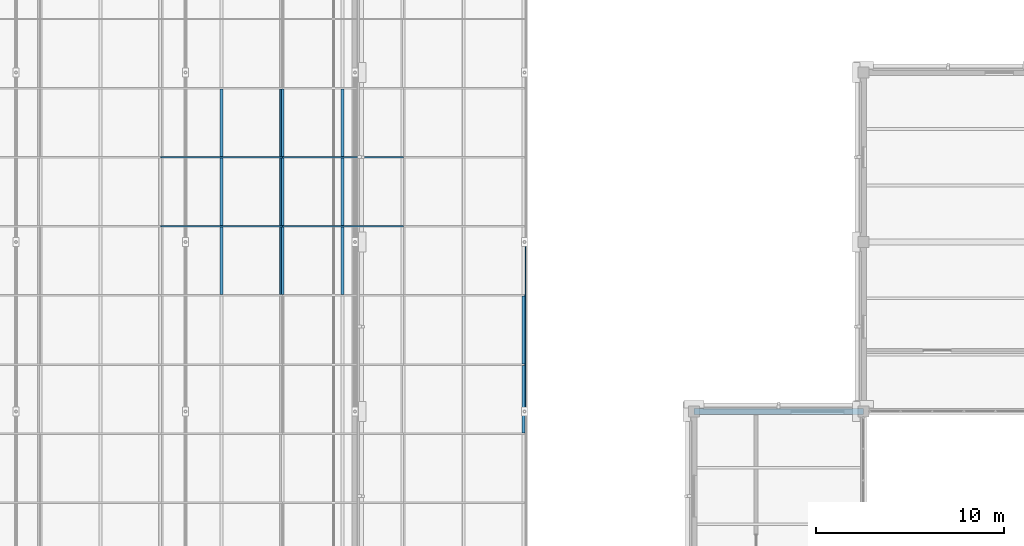
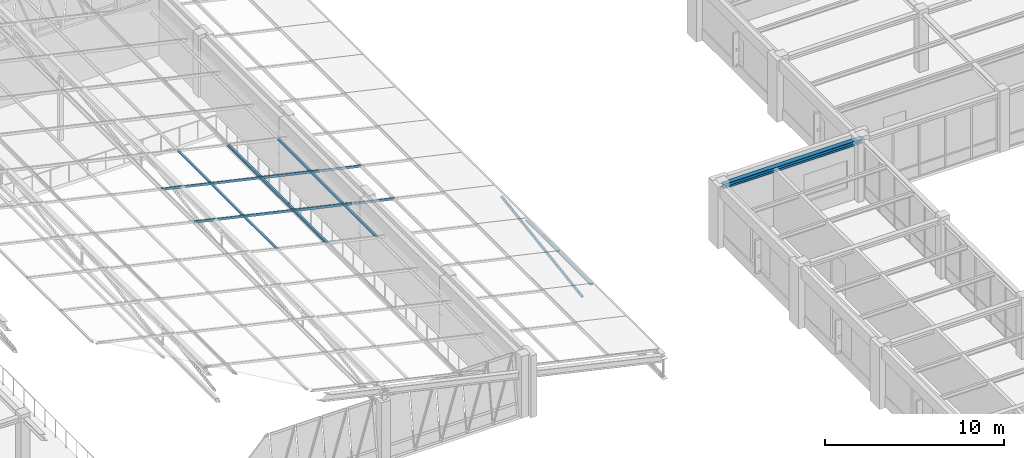
# One storey, part 82 of 130: 19 members, 1 beam, 3 elements without a shape of their own.
"""IFC4 building model written with IfcOpenShell, lengths in metres."""

from ifc_helpers import new_model, si_unit, direction, frame, origin, origin_2d, place, context, subcontext, project, spatial, hollow_rectangle, hollow_circle, i_section, extrude, material, material_profile, profile_set, type_object, element, aggregate, save


model = new_model("IFC4")

# Units and contexts
model_context = context("Model", 3, precision=1e-05, world=origin(), true_north=direction((0.0, 1.0)))
body_context = subcontext(model_context, "Body", "Model", "MODEL_VIEW")
ifc_project = project(units=[si_unit("LENGTHUNIT", "METRE"), si_unit("AREAUNIT", "SQUARE_METRE"), si_unit("VOLUMEUNIT", "CUBIC_METRE"), si_unit("PLANEANGLEUNIT", "RADIAN"), si_unit("MASSUNIT", "GRAM", prefix="KILO")], contexts=[model_context])

# Site, building, storey
site_placement = place(None, origin())
site = spatial("IfcSite", under=ifc_project, at=site_placement, CompositionType="ELEMENT")
building_placement = place(site_placement, origin())
building = spatial("IfcBuilding", under=site, at=building_placement, Name="Lykobir Media Centre", CompositionType="ELEMENT")
storey_placement = place(building_placement, frame((0.0, 0.0, 19.199951171875)))
storey = spatial("IfcBuildingStorey", under=building, at=storey_placement, Name="L04", CompositionType="ELEMENT", Elevation=19.199951171875)

# Member
ifc_material_1 = material(Name="Steel S355", Category="steel")
ifc_material_profile_1 = material_profile(ifc_material_1, hollow_circle(Radius=0.084228515625, WallThickness=0.010009765625, at=origin_2d()), Name="CHS 168.3x10.0")
ifc_profile_set_1 = profile_set([ifc_material_profile_1], Name="Steel S355")
member_type_1 = type_object("IfcMemberType", Name="BR-CHS168-E", PredefinedType="BRACE", material=ifc_profile_set_1)
member_1_placement = place(storey_placement, frame((81.0, 72.0, -0.60986328125), z_axis=(0.0, 0.988938714016, 0.148324711095), x_axis=(-1.0, 0.0, 0.0)))
element("IfcMember", 1, at=member_1_placement, inside=storey, type_object=member_type_1, Name="Diagonal brace MEM2-L04-0810-0720-0186-0810-0810-0501", PredefinedType="BRACE", context=body_context, shape_type="SweptSolid", body=[
    extrude(hollow_circle(Radius=0.084228515625, WallThickness=0.010009765625, at=origin_2d()), origin(), (0.0, 0.0, 1.0), 9.1005859375),
])

# Curtain wall, members
ifc_material_2 = material(Name="Anodized Aluminium AW-6060", Category="aluminium")
curtain_wall_type = type_object("IfcCurtainWallType", Name="CW-V6-SKY", PredefinedType="NOTDEFINED", material=ifc_material_2)
curtain_wall_1_placement = place(storey_placement, origin())
curtain_wall_1 = element("IfcCurtainWall", 2, at=curtain_wall_1_placement, inside=storey, type_object=curtain_wall_type, Name="Curtain wall CW-V6-SKY01", PredefinedType="NOTDEFINED")
ifc_material_profile_2 = material_profile(ifc_material_2, hollow_rectangle(XDim=0.074951171875, YDim=0.14990234375, WallThickness=0.00341796875, at=origin_2d()), Name="ALU TRANSOM 75x150")
ifc_profile_set_2 = profile_set([ifc_material_profile_2], Name="Anodized Aluminium AW-6060")
member_type_2 = type_object("IfcMemberType", Name="CWT-150", PredefinedType="USERDEFINED", material=ifc_profile_set_2)
member_2_placement = place(storey_placement, frame((80.941162109375, 78.12255859375, 0.909912109375), z_axis=(0.0, -1.0, 0.0), x_axis=(0.221054901821, 0.0, 0.975261365164)))
member_2 = element("IfcMember", 3, at=member_2_placement, type_object=member_type_2, Name="CW-V6-SKY01 transom 9.1", ObjectType="TRANSOM", PredefinedType="USERDEFINED", context=body_context, shape_type="SweptSolid", body=[
    extrude(hollow_rectangle(XDim=0.074951171875, YDim=0.14990234375, WallThickness=0.00341796875, at=origin_2d()), origin(), (0.0, 0.0, 1.0), 3.594970703125),
])
member_3_placement = place(storey_placement, frame((80.941162109375, 74.452392578125, 0.909912109375), z_axis=(0.0, -1.0, 0.0), x_axis=(0.221054901821, 0.0, 0.975261365164)))
member_3 = element("IfcMember", 4, at=member_3_placement, type_object=member_type_2, Name="CW-V6-SKY01 transom 10.1", ObjectType="TRANSOM", PredefinedType="USERDEFINED", context=body_context, shape_type="SweptSolid", body=[
    extrude(hollow_rectangle(XDim=0.074951171875, YDim=0.14990234375, WallThickness=0.00341796875, at=origin_2d()), origin(), (0.0, 0.0, 1.0), 3.594970703125),
])
aggregate(curtain_wall_1, [member_2, member_3])

curtain_wall_2_placement = place(storey_placement, origin())
curtain_wall_2 = element("IfcCurtainWall", 5, at=curtain_wall_2_placement, inside=storey, type_object=curtain_wall_type, Name="Curtain wall CW-V6-SKY02", PredefinedType="NOTDEFINED")
member_4_placement = place(storey_placement, frame((74.549072265625, 85.5, 2.358642578125), z_axis=(-0.975255318588, 0.0, 0.221081576721), x_axis=(0.0, -1.0, 0.0)))
member_4 = element("IfcMember", 6, at=member_4_placement, type_object=member_type_2, Name="CW-V6-SKY02 rafter transom 7", ObjectType="TRANSOM", PredefinedType="USERDEFINED", context=body_context, shape_type="SweptSolid", body=[
    extrude(hollow_rectangle(XDim=0.074951171875, YDim=0.14990234375, WallThickness=0.00341796875, at=origin_2d()), origin(), (0.0, 0.0, 1.0), 6.591552734375),
])
member_5_placement = place(storey_placement, frame((74.549072265625, 81.830078125, 2.358642578125), z_axis=(-0.975255318588, 0.0, 0.221081576721), x_axis=(0.0, -1.0, 0.0)))
member_5 = element("IfcMember", 7, at=member_5_placement, type_object=member_type_2, Name="CW-V6-SKY02 rafter transom 8", ObjectType="TRANSOM", PredefinedType="USERDEFINED", context=body_context, shape_type="SweptSolid", body=[
    extrude(hollow_rectangle(XDim=0.074951171875, YDim=0.14990234375, WallThickness=0.00341796875, at=origin_2d()), origin(), (0.0, 0.0, 1.0), 6.591552734375),
])
member_6_placement = place(storey_placement, frame((71.334716796875, 89.132568359375, 3.087158203125), z_axis=(0.0, -1.0, 0.0), x_axis=(0.221071923309, 0.0, 0.975257506879)))
member_6 = element("IfcMember", 8, at=member_6_placement, type_object=member_type_2, Name="CW-V6-SKY02 transom 6.2", ObjectType="TRANSOM", PredefinedType="USERDEFINED", context=body_context, shape_type="SweptSolid", body=[
    extrude(hollow_rectangle(XDim=0.074951171875, YDim=0.14990234375, WallThickness=0.00341796875, at=origin_2d()), origin(), (0.0, 0.0, 1.0), 3.594970703125),
])
member_7_placement = place(storey_placement, frame((68.1572265625, 89.132568359375, 3.8076171875), z_axis=(0.0, -1.0, 0.0), x_axis=(0.221071923309, 0.0, 0.975257506879)))
member_7 = element("IfcMember", 9, at=member_7_placement, type_object=member_type_2, Name="CW-V6-SKY02 transom 6.3", ObjectType="TRANSOM", PredefinedType="USERDEFINED", context=body_context, shape_type="SweptSolid", body=[
    extrude(hollow_rectangle(XDim=0.074951171875, YDim=0.14990234375, WallThickness=0.00341796875, at=origin_2d()), origin(), (0.0, 0.0, 1.0), 3.594970703125),
])
member_8_placement = place(storey_placement, frame((71.334716796875, 85.46240234375, 3.087158203125), z_axis=(0.0, -1.0, 0.0), x_axis=(0.221071923309, 0.0, 0.975257506879)))
member_8 = element("IfcMember", 10, at=member_8_placement, type_object=member_type_2, Name="CW-V6-SKY02 transom 7.2", ObjectType="TRANSOM", PredefinedType="USERDEFINED", context=body_context, shape_type="SweptSolid", body=[
    extrude(hollow_rectangle(XDim=0.074951171875, YDim=0.14990234375, WallThickness=0.00341796875, at=origin_2d()), origin(), (0.0, 0.0, 1.0), 3.594970703125),
])
member_9_placement = place(storey_placement, frame((68.1572265625, 85.46240234375, 3.8076171875), z_axis=(0.0, -1.0, 0.0), x_axis=(0.221071923309, 0.0, 0.975257506879)))
member_9 = element("IfcMember", 11, at=member_9_placement, type_object=member_type_2, Name="CW-V6-SKY02 transom 7.3", ObjectType="TRANSOM", PredefinedType="USERDEFINED", context=body_context, shape_type="SweptSolid", body=[
    extrude(hollow_rectangle(XDim=0.074951171875, YDim=0.14990234375, WallThickness=0.00341796875, at=origin_2d()), origin(), (0.0, 0.0, 1.0), 3.594970703125),
])
member_10_placement = place(storey_placement, frame((71.334716796875, 81.79248046875, 3.087158203125), z_axis=(0.0, -1.0, 0.0), x_axis=(0.221071923309, 0.0, 0.975257506879)))
member_10 = element("IfcMember", 12, at=member_10_placement, type_object=member_type_2, Name="CW-V6-SKY02 transom 8.2", ObjectType="TRANSOM", PredefinedType="USERDEFINED", context=body_context, shape_type="SweptSolid", body=[
    extrude(hollow_rectangle(XDim=0.074951171875, YDim=0.14990234375, WallThickness=0.00341796875, at=origin_2d()), origin(), (0.0, 0.0, 1.0), 3.594970703125),
])
member_11_placement = place(storey_placement, frame((68.1572265625, 81.79248046875, 3.8076171875), z_axis=(0.0, -1.0, 0.0), x_axis=(0.221071923309, 0.0, 0.975257506879)))
member_11 = element("IfcMember", 13, at=member_11_placement, type_object=member_type_2, Name="CW-V6-SKY02 transom 8.3", ObjectType="TRANSOM", PredefinedType="USERDEFINED", context=body_context, shape_type="SweptSolid", body=[
    extrude(hollow_rectangle(XDim=0.074951171875, YDim=0.14990234375, WallThickness=0.00341796875, at=origin_2d()), origin(), (0.0, 0.0, 1.0), 3.594970703125),
])
aggregate(curtain_wall_2, [member_4, member_5, member_6, member_7, member_8, member_9, member_10, member_11])

curtain_wall_3_placement = place(storey_placement, origin())
curtain_wall_3 = element("IfcCurtainWall", 14, at=curtain_wall_3_placement, inside=storey, type_object=curtain_wall_type, Name="Curtain wall CW-V6-SKY03", PredefinedType="NOTDEFINED")
member_12_placement = place(storey_placement, frame((68.12060546875, 85.5, 3.81591796875), z_axis=(-0.97526330388, 0.0, 0.221046348318), x_axis=(0.0, -1.0, 0.0)))
member_12 = element("IfcMember", 15, at=member_12_placement, type_object=member_type_2, Name="CW-V6-SKY03 rafter transom 7", ObjectType="TRANSOM", PredefinedType="USERDEFINED", context=body_context, shape_type="SweptSolid", body=[
    extrude(hollow_rectangle(XDim=0.074951171875, YDim=0.14990234375, WallThickness=0.00341796875, at=origin_2d()), origin(), (0.0, 0.0, 1.0), 6.591552734375),
])
member_13_placement = place(storey_placement, frame((68.12060546875, 81.830078125, 3.81591796875), z_axis=(-0.97526330388, 0.0, 0.221046348318), x_axis=(0.0, -1.0, 0.0)))
member_13 = element("IfcMember", 16, at=member_13_placement, type_object=member_type_2, Name="CW-V6-SKY03 rafter transom 8", ObjectType="TRANSOM", PredefinedType="USERDEFINED", context=body_context, shape_type="SweptSolid", body=[
    extrude(hollow_rectangle(XDim=0.074951171875, YDim=0.14990234375, WallThickness=0.00341796875, at=origin_2d()), origin(), (0.0, 0.0, 1.0), 6.591552734375),
])
member_14_placement = place(storey_placement, frame((68.083984375, 89.132568359375, 3.82421875), z_axis=(0.0, -1.0, 0.0), x_axis=(0.221054901821, 0.0, 0.975261365164)))
member_14 = element("IfcMember", 17, at=member_14_placement, type_object=member_type_2, Name="CW-V6-SKY03 transom 6.1", ObjectType="TRANSOM", PredefinedType="USERDEFINED", context=body_context, shape_type="SweptSolid", body=[
    extrude(hollow_rectangle(XDim=0.074951171875, YDim=0.14990234375, WallThickness=0.00341796875, at=origin_2d()), origin(), (0.0, 0.0, 1.0), 3.594970703125),
])
member_15_placement = place(storey_placement, frame((64.90625, 89.132568359375, 4.54443359375), z_axis=(0.0, -1.0, 0.0), x_axis=(0.221054901821, 0.0, 0.975261365164)))
member_15 = element("IfcMember", 18, at=member_15_placement, type_object=member_type_2, Name="CW-V6-SKY03 transom 6.2", ObjectType="TRANSOM", PredefinedType="USERDEFINED", context=body_context, shape_type="SweptSolid", body=[
    extrude(hollow_rectangle(XDim=0.074951171875, YDim=0.14990234375, WallThickness=0.00341796875, at=origin_2d()), origin(), (0.0, 0.0, 1.0), 3.594970703125),
])
member_16_placement = place(storey_placement, frame((68.083984375, 85.46240234375, 3.82421875), z_axis=(0.0, -1.0, 0.0), x_axis=(0.221054901821, 0.0, 0.975261365164)))
member_16 = element("IfcMember", 19, at=member_16_placement, type_object=member_type_2, Name="CW-V6-SKY03 transom 7.1", ObjectType="TRANSOM", PredefinedType="USERDEFINED", context=body_context, shape_type="SweptSolid", body=[
    extrude(hollow_rectangle(XDim=0.074951171875, YDim=0.14990234375, WallThickness=0.00341796875, at=origin_2d()), origin(), (0.0, 0.0, 1.0), 3.594970703125),
])
member_17_placement = place(storey_placement, frame((64.90625, 85.46240234375, 4.54443359375), z_axis=(0.0, -1.0, 0.0), x_axis=(0.221054901821, 0.0, 0.975261365164)))
member_17 = element("IfcMember", 20, at=member_17_placement, type_object=member_type_2, Name="CW-V6-SKY03 transom 7.2", ObjectType="TRANSOM", PredefinedType="USERDEFINED", context=body_context, shape_type="SweptSolid", body=[
    extrude(hollow_rectangle(XDim=0.074951171875, YDim=0.14990234375, WallThickness=0.00341796875, at=origin_2d()), origin(), (0.0, 0.0, 1.0), 3.594970703125),
])
member_18_placement = place(storey_placement, frame((68.083984375, 81.79248046875, 3.82421875), z_axis=(0.0, -1.0, 0.0), x_axis=(0.221054901821, 0.0, 0.975261365164)))
member_18 = element("IfcMember", 21, at=member_18_placement, type_object=member_type_2, Name="CW-V6-SKY03 transom 8.1", ObjectType="TRANSOM", PredefinedType="USERDEFINED", context=body_context, shape_type="SweptSolid", body=[
    extrude(hollow_rectangle(XDim=0.074951171875, YDim=0.14990234375, WallThickness=0.00341796875, at=origin_2d()), origin(), (0.0, 0.0, 1.0), 3.594970703125),
])
member_19_placement = place(storey_placement, frame((64.90625, 81.79248046875, 4.54443359375), z_axis=(0.0, -1.0, 0.0), x_axis=(0.221054901821, 0.0, 0.975261365164)))
member_19 = element("IfcMember", 22, at=member_19_placement, type_object=member_type_2, Name="CW-V6-SKY03 transom 8.2", ObjectType="TRANSOM", PredefinedType="USERDEFINED", context=body_context, shape_type="SweptSolid", body=[
    extrude(hollow_rectangle(XDim=0.074951171875, YDim=0.14990234375, WallThickness=0.00341796875, at=origin_2d()), origin(), (0.0, 0.0, 1.0), 3.594970703125),
])
aggregate(curtain_wall_3, [member_12, member_13, member_14, member_15, member_16, member_17, member_18, member_19])

# Beam
ifc_material_profile_3 = material_profile(ifc_material_1, i_section(OverallWidth=0.300048828125, OverallDepth=0.31005859375, WebThickness=0.009033203125, FlangeThickness=0.015380859375, at=origin_2d()), Name="HEA 320")
ifc_profile_set_3 = profile_set([ifc_material_profile_3], Name="Steel S355")
beam_type = type_object("IfcBeamType", Name="SP-HEA320", PredefinedType="SPANDREL", material=ifc_profile_set_3)
beam_placement = place(storey_placement, frame((90.0, 72.0, 3.79296875), z_axis=(1.0, 0.0, 0.0), x_axis=(0.0, 1.0, 0.0)))
element("IfcBeam", 23, at=beam_placement, inside=storey, type_object=beam_type, Name="Beam BM-L04-0900-0720-0990-0720-2300", PredefinedType="SPANDREL", context=body_context, shape_type="SweptSolid", body=[
    extrude(i_section(OverallWidth=0.300048828125, OverallDepth=0.31005859375, WebThickness=0.009033203125, FlangeThickness=0.015380859375, at=origin_2d()), origin(), (0.0, 0.0, 1.0), 9.0),
])

save(model, "model.ifc")
